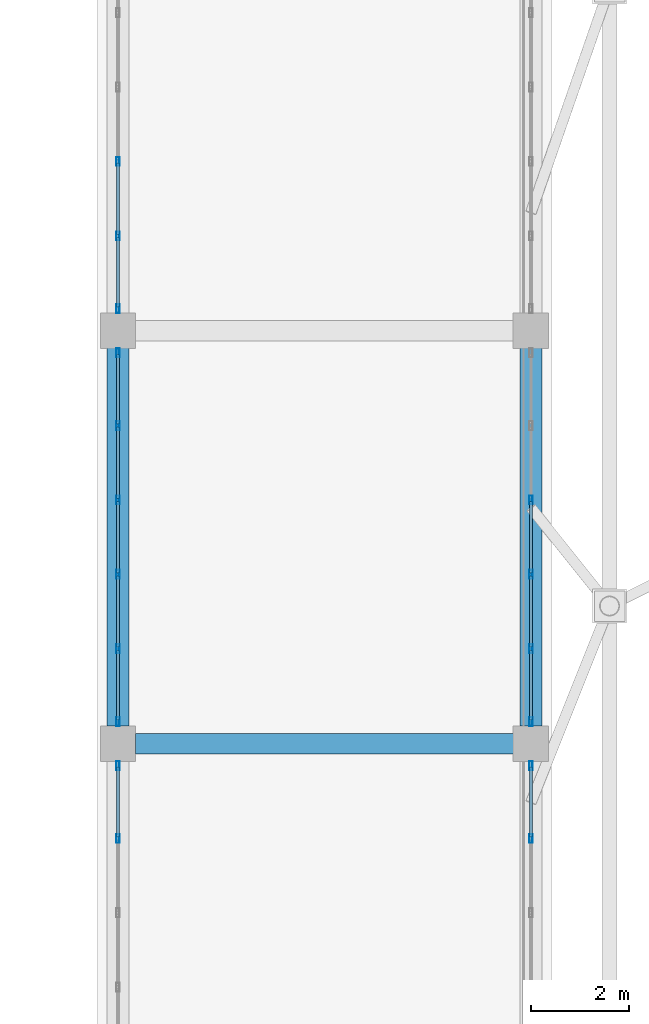
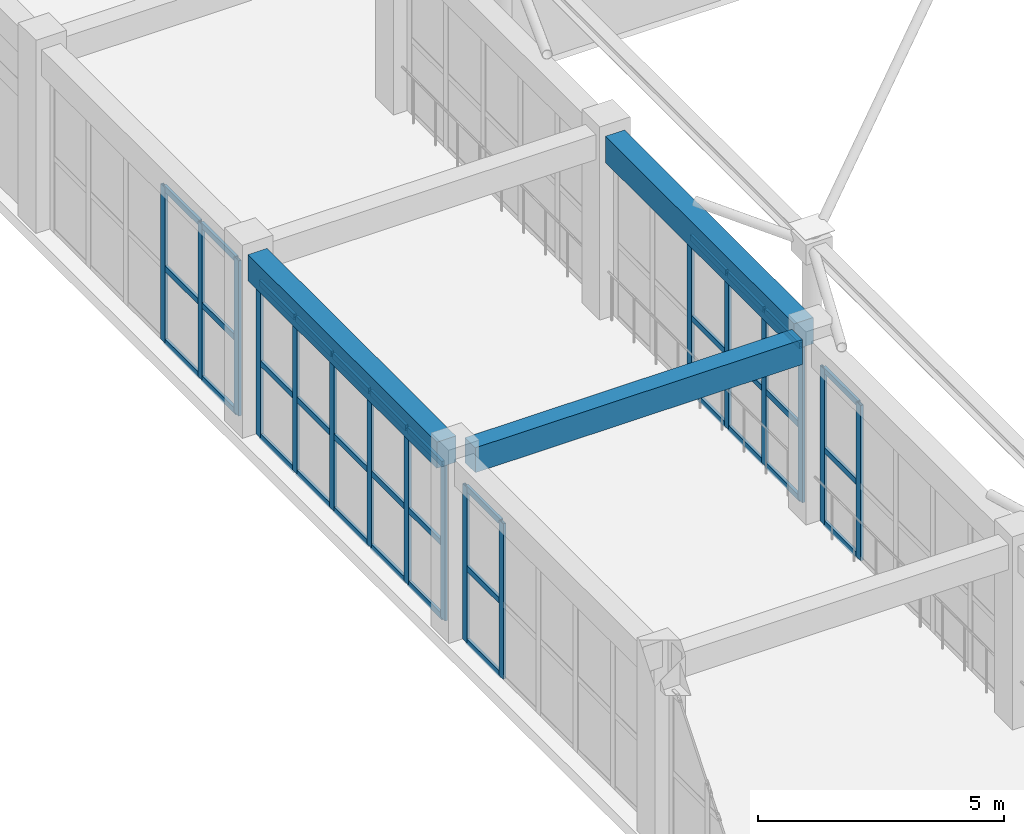
# One storey, part 96 of 158: 53 members, 3 beams, 5 elements without a shape of their own.
"""IFC4 building model written with IfcOpenShell, lengths in metres."""

from ifc_helpers import new_model, si_unit, direction, frame, origin, origin_2d, place, context, subcontext, project, spatial, rectangle, hollow_rectangle, extrude, material, layer, layer_set, material_profile, profile_set, type_object, element, aggregate, save


model = new_model("IFC4")

# Units and contexts
model_context = context("Model", 3, precision=1e-05, world=origin(), true_north=direction((0.0, 1.0)))
body_context = subcontext(model_context, "Body", "Model", "MODEL_VIEW")
ifc_project = project(units=[si_unit("LENGTHUNIT", "METRE"), si_unit("AREAUNIT", "SQUARE_METRE"), si_unit("VOLUMEUNIT", "CUBIC_METRE"), si_unit("PLANEANGLEUNIT", "RADIAN"), si_unit("MASSUNIT", "GRAM", prefix="KILO")], contexts=[model_context])

# Site, building, storey
site_placement = place(None, origin())
site = spatial("IfcSite", under=ifc_project, at=site_placement, CompositionType="ELEMENT")
building_placement = place(site_placement, origin())
building = spatial("IfcBuilding", under=site, at=building_placement, Name="Trelvath General Hospital", CompositionType="ELEMENT")
storey_placement = place(building_placement, frame((0.0, 0.0, 8.10009765625)))
storey = spatial("IfcBuildingStorey", under=building, at=storey_placement, Name="L02", CompositionType="ELEMENT", Elevation=8.10009765625)

# Beams
ifc_material_1 = material(Name="Concrete C35/45", Category="concrete")
ifc_material_profile_1 = material_profile(ifc_material_1, rectangle(XDim=0.419921875, YDim=0.6201171875, at=origin_2d()), Name="RCB420x620")
ifc_profile_set_1 = profile_set([ifc_material_profile_1], Name="Concrete C35/45")
beam_type_1 = type_object("IfcBeamType", Name="Beam RC420x620", PredefinedType="BEAM", material=ifc_profile_set_1)
beam_placement = place(storey_placement, frame((134.7548828125, 50.39990234375, 4.2099609375), z_axis=(1.0, 0.0, 0.0), x_axis=(0.0, 1.0, 0.0)))
element("IfcBeam", 1, at=beam_placement, inside=storey, type_object=beam_type_1, Name="Grid Beam BX-216G", PredefinedType="BEAM", context=body_context, shape_type="SweptSolid", body=[
    extrude(rectangle(XDim=0.419921875, YDim=0.6201171875, at=origin_2d()), origin(), (0.0, 0.0, 1.0), 7.690185546875),
])
ifc_material_2 = material(Name="Concrete C35/45", Category="concrete")
ifc_material_profile_2 = material_profile(ifc_material_2, rectangle(XDim=0.449951171875, YDim=0.64990234375, at=origin_2d()), Name="RCB450x650")
ifc_profile_set_2 = profile_set([ifc_material_profile_2], Name="Concrete C35/45")
beam_type_2 = type_object("IfcBeamType", Name="Beam RC450x650", PredefinedType="BEAM", material=ifc_profile_set_2)
for number, where, z_axis, x_axis, name in (
    (2, (134.39990234375, 50.7548828125, 4.19482421875), (0.0, 1.0, 0.0), (-1.0, 0.0, 0.0), "Grid Beam BY-216G"),
    (3, (142.800048828125, 50.7548828125, 4.19482421875), (0.0, 1.0, 0.0), (-1.0, 0.0, 0.0), "Grid Beam BY-217G"),
):
    element("IfcBeam", number, at=place(storey_placement, frame(where, z_axis=z_axis, x_axis=x_axis)), inside=storey, type_object=beam_type_2, Name=name, PredefinedType="BEAM", context=body_context, shape_type="SweptSolid", body=[
        extrude(rectangle(XDim=0.449951171875, YDim=0.64990234375, at=origin_2d()), origin(), (0.0, 0.0, 1.0), 7.690185546875),
    ])

# Curtain wall, members
ifc_material_3 = material(Name="Anodised aluminium and low-E glass", Category="aluminium")
ifc_layer = layer(ifc_material_3, 0.179931640625)
ifc_layer_set = layer_set([ifc_layer], Name="Anodised aluminium and low-E glass")
curtain_wall_type = type_object("IfcCurtainWallType", Name="CW Facade 757 386 18", PredefinedType="USERDEFINED", material=ifc_layer_set)
curtain_wall_1_placement = place(storey_placement, origin())
curtain_wall_1 = element("IfcCurtainWall", 4, at=curtain_wall_1_placement, inside=storey, type_object=curtain_wall_type, Name="Facade Curtain Wall CW-050", ObjectType="Unitised Glazed Curtain Wall", PredefinedType="USERDEFINED")
ifc_material_4 = material(Name="Anodised aluminium", Category="aluminium")
ifc_material_profile_3 = material_profile(ifc_material_4, hollow_rectangle(XDim=0.06494140625, YDim=0.179931640625, WallThickness=0.0048828125, at=origin_2d()), Name="RHS65x180x5")
ifc_profile_set_3 = profile_set([ifc_material_profile_3], Name="Anodised aluminium")
member_type_1 = type_object("IfcMemberType", Name="CurtainMullion 65x180", PredefinedType="MULLION", material=ifc_profile_set_3)
member_1_placement = place(storey_placement, frame((134.39990234375, 48.470947265625, 0.0), z_axis=(0.0, 0.0, 1.0), x_axis=(-1.0, 0.0, 0.0)))
member_1 = element("IfcMember", 5, at=member_1_placement, type_object=member_type_1, Name="CW-050 mullion 5", PredefinedType="MULLION", context=body_context, shape_type="SweptSolid", body=[
    extrude(hollow_rectangle(XDim=0.06494140625, YDim=0.179931640625, WallThickness=0.0048828125, at=origin_2d()), origin(), (0.0, 0.0, 1.0), 3.85986328125),
])
member_2_placement = place(storey_placement, frame((134.39990234375, 49.952392578125, 0.0), z_axis=(0.0, 0.0, 1.0), x_axis=(-1.0, 0.0, 0.0)))
member_2 = element("IfcMember", 6, at=member_2_placement, type_object=member_type_1, Name="CW-050 mullion 6", PredefinedType="MULLION", context=body_context, shape_type="SweptSolid", body=[
    extrude(hollow_rectangle(XDim=0.06494140625, YDim=0.179931640625, WallThickness=0.0048828125, at=origin_2d()), origin(), (0.0, 0.0, 1.0), 3.85986328125),
])

curtain_wall_2_placement = place(storey_placement, origin())
curtain_wall_2 = element("IfcCurtainWall", 7, at=curtain_wall_2_placement, inside=storey, type_object=curtain_wall_type, Name="Facade Curtain Wall CW-051", ObjectType="Unitised Glazed Curtain Wall", PredefinedType="USERDEFINED")
member_3_placement = place(storey_placement, frame((142.800048828125, 49.952392578125, 0.0), z_axis=(0.0, 0.0, 1.0), x_axis=(1.0, 0.0, 0.0)))
member_3 = element("IfcMember", 8, at=member_3_placement, type_object=member_type_1, Name="CW-051 mullion 1", PredefinedType="MULLION", context=body_context, shape_type="SweptSolid", body=[
    extrude(hollow_rectangle(XDim=0.06494140625, YDim=0.179931640625, WallThickness=0.0048828125, at=origin_2d()), origin(), (0.0, 0.0, 1.0), 3.85986328125),
])
member_4_placement = place(storey_placement, frame((142.800048828125, 48.470947265625, 0.0), z_axis=(0.0, 0.0, 1.0), x_axis=(1.0, 0.0, 0.0)))
member_4 = element("IfcMember", 9, at=member_4_placement, type_object=member_type_1, Name="CW-051 mullion 2", PredefinedType="MULLION", context=body_context, shape_type="SweptSolid", body=[
    extrude(hollow_rectangle(XDim=0.06494140625, YDim=0.179931640625, WallThickness=0.0048828125, at=origin_2d()), origin(), (0.0, 0.0, 1.0), 3.85986328125),
])

curtain_wall_3_placement = place(storey_placement, origin())
curtain_wall_3 = element("IfcCurtainWall", 10, at=curtain_wall_3_placement, inside=storey, type_object=curtain_wall_type, Name="Facade Curtain Wall CW-052", ObjectType="Unitised Glazed Curtain Wall", PredefinedType="USERDEFINED")
member_5_placement = place(storey_placement, frame((134.39990234375, 50.847412109375, 0.0), z_axis=(0.0, 0.0, 1.0), x_axis=(-1.0, 0.0, 0.0)))
member_5 = element("IfcMember", 11, at=member_5_placement, type_object=member_type_1, Name="CW-052 mullion 1", PredefinedType="MULLION", context=body_context, shape_type="SweptSolid", body=[
    extrude(hollow_rectangle(XDim=0.06494140625, YDim=0.179931640625, WallThickness=0.0048828125, at=origin_2d()), origin(), (0.0, 0.0, 1.0), 3.85986328125),
])
member_6_placement = place(storey_placement, frame((134.39990234375, 52.3291015625, 0.0), z_axis=(0.0, 0.0, 1.0), x_axis=(-1.0, 0.0, 0.0)))
member_6 = element("IfcMember", 12, at=member_6_placement, type_object=member_type_1, Name="CW-052 mullion 2", PredefinedType="MULLION", context=body_context, shape_type="SweptSolid", body=[
    extrude(hollow_rectangle(XDim=0.06494140625, YDim=0.179931640625, WallThickness=0.0048828125, at=origin_2d()), origin(), (0.0, 0.0, 1.0), 3.85986328125),
])
member_7_placement = place(storey_placement, frame((134.39990234375, 53.843017578125, 0.0), z_axis=(0.0, 0.0, 1.0), x_axis=(-1.0, 0.0, 0.0)))
member_7 = element("IfcMember", 13, at=member_7_placement, type_object=member_type_1, Name="CW-052 mullion 3", PredefinedType="MULLION", context=body_context, shape_type="SweptSolid", body=[
    extrude(hollow_rectangle(XDim=0.06494140625, YDim=0.179931640625, WallThickness=0.0048828125, at=origin_2d()), origin(), (0.0, 0.0, 1.0), 3.85986328125),
])
member_8_placement = place(storey_placement, frame((134.39990234375, 55.35693359375, 0.0), z_axis=(0.0, 0.0, 1.0), x_axis=(-1.0, 0.0, 0.0)))
member_8 = element("IfcMember", 14, at=member_8_placement, type_object=member_type_1, Name="CW-052 mullion 4", PredefinedType="MULLION", context=body_context, shape_type="SweptSolid", body=[
    extrude(hollow_rectangle(XDim=0.06494140625, YDim=0.179931640625, WallThickness=0.0048828125, at=origin_2d()), origin(), (0.0, 0.0, 1.0), 3.85986328125),
])
member_9_placement = place(storey_placement, frame((134.39990234375, 56.87109375, 0.0), z_axis=(0.0, 0.0, 1.0), x_axis=(-1.0, 0.0, 0.0)))
member_9 = element("IfcMember", 15, at=member_9_placement, type_object=member_type_1, Name="CW-052 mullion 5", PredefinedType="MULLION", context=body_context, shape_type="SweptSolid", body=[
    extrude(hollow_rectangle(XDim=0.06494140625, YDim=0.179931640625, WallThickness=0.0048828125, at=origin_2d()), origin(), (0.0, 0.0, 1.0), 3.85986328125),
])
member_10_placement = place(storey_placement, frame((134.39990234375, 58.3525390625, 0.0), z_axis=(0.0, 0.0, 1.0), x_axis=(-1.0, 0.0, 0.0)))
member_10 = element("IfcMember", 16, at=member_10_placement, type_object=member_type_1, Name="CW-052 mullion 6", PredefinedType="MULLION", context=body_context, shape_type="SweptSolid", body=[
    extrude(hollow_rectangle(XDim=0.06494140625, YDim=0.179931640625, WallThickness=0.0048828125, at=origin_2d()), origin(), (0.0, 0.0, 1.0), 3.85986328125),
])

curtain_wall_4_placement = place(storey_placement, origin())
curtain_wall_4 = element("IfcCurtainWall", 17, at=curtain_wall_4_placement, inside=storey, type_object=curtain_wall_type, Name="Facade Curtain Wall CW-053", ObjectType="Unitised Glazed Curtain Wall", PredefinedType="USERDEFINED")
member_11_placement = place(storey_placement, frame((142.800048828125, 55.35693359375, 0.0), z_axis=(0.0, 0.0, 1.0), x_axis=(1.0, 0.0, 0.0)))
member_11 = element("IfcMember", 18, at=member_11_placement, type_object=member_type_1, Name="CW-053 mullion 3", PredefinedType="MULLION", context=body_context, shape_type="SweptSolid", body=[
    extrude(hollow_rectangle(XDim=0.06494140625, YDim=0.179931640625, WallThickness=0.0048828125, at=origin_2d()), origin(), (0.0, 0.0, 1.0), 3.85986328125),
])
member_12_placement = place(storey_placement, frame((142.800048828125, 53.843017578125, 0.0), z_axis=(0.0, 0.0, 1.0), x_axis=(1.0, 0.0, 0.0)))
member_12 = element("IfcMember", 19, at=member_12_placement, type_object=member_type_1, Name="CW-053 mullion 4", PredefinedType="MULLION", context=body_context, shape_type="SweptSolid", body=[
    extrude(hollow_rectangle(XDim=0.06494140625, YDim=0.179931640625, WallThickness=0.0048828125, at=origin_2d()), origin(), (0.0, 0.0, 1.0), 3.85986328125),
])
member_13_placement = place(storey_placement, frame((142.800048828125, 52.3291015625, 0.0), z_axis=(0.0, 0.0, 1.0), x_axis=(1.0, 0.0, 0.0)))
member_13 = element("IfcMember", 20, at=member_13_placement, type_object=member_type_1, Name="CW-053 mullion 5", PredefinedType="MULLION", context=body_context, shape_type="SweptSolid", body=[
    extrude(hollow_rectangle(XDim=0.06494140625, YDim=0.179931640625, WallThickness=0.0048828125, at=origin_2d()), origin(), (0.0, 0.0, 1.0), 3.85986328125),
])
member_14_placement = place(storey_placement, frame((142.800048828125, 50.847412109375, 0.0), z_axis=(0.0, 0.0, 1.0), x_axis=(1.0, 0.0, 0.0)))
member_14 = element("IfcMember", 21, at=member_14_placement, type_object=member_type_1, Name="CW-053 mullion 6", PredefinedType="MULLION", context=body_context, shape_type="SweptSolid", body=[
    extrude(hollow_rectangle(XDim=0.06494140625, YDim=0.179931640625, WallThickness=0.0048828125, at=origin_2d()), origin(), (0.0, 0.0, 1.0), 3.85986328125),
])

curtain_wall_5_placement = place(storey_placement, origin())
curtain_wall_5 = element("IfcCurtainWall", 22, at=curtain_wall_5_placement, inside=storey, type_object=curtain_wall_type, Name="Facade Curtain Wall CW-054", ObjectType="Unitised Glazed Curtain Wall", PredefinedType="USERDEFINED")
member_15_placement = place(storey_placement, frame((134.39990234375, 59.24755859375, 0.0), z_axis=(0.0, 0.0, 1.0), x_axis=(-1.0, 0.0, 0.0)))
member_15 = element("IfcMember", 23, at=member_15_placement, type_object=member_type_1, Name="CW-054 mullion 1", PredefinedType="MULLION", context=body_context, shape_type="SweptSolid", body=[
    extrude(hollow_rectangle(XDim=0.06494140625, YDim=0.179931640625, WallThickness=0.0048828125, at=origin_2d()), origin(), (0.0, 0.0, 1.0), 3.85986328125),
])
member_16_placement = place(storey_placement, frame((134.39990234375, 60.72900390625, 0.0), z_axis=(0.0, 0.0, 1.0), x_axis=(-1.0, 0.0, 0.0)))
member_16 = element("IfcMember", 24, at=member_16_placement, type_object=member_type_1, Name="CW-054 mullion 2", PredefinedType="MULLION", context=body_context, shape_type="SweptSolid", body=[
    extrude(hollow_rectangle(XDim=0.06494140625, YDim=0.179931640625, WallThickness=0.0048828125, at=origin_2d()), origin(), (0.0, 0.0, 1.0), 3.85986328125),
])
member_17_placement = place(storey_placement, frame((134.39990234375, 62.242919921875, 0.0), z_axis=(0.0, 0.0, 1.0), x_axis=(-1.0, 0.0, 0.0)))
member_17 = element("IfcMember", 25, at=member_17_placement, type_object=member_type_1, Name="CW-054 mullion 3", PredefinedType="MULLION", context=body_context, shape_type="SweptSolid", body=[
    extrude(hollow_rectangle(XDim=0.06494140625, YDim=0.179931640625, WallThickness=0.0048828125, at=origin_2d()), origin(), (0.0, 0.0, 1.0), 3.85986328125),
])

# Member
ifc_material_5 = material(Name="Anodised aluminium", Category="aluminium")
ifc_material_profile_4 = material_profile(ifc_material_5, hollow_rectangle(XDim=0.06494140625, YDim=0.14501953125, WallThickness=0.00390625, at=origin_2d()), Name="RHS65x145x4")
ifc_profile_set_4 = profile_set([ifc_material_profile_4], Name="Anodised aluminium")
member_type_2 = type_object("IfcMemberType", Name="CurtainTransom 65x145", PredefinedType="USERDEFINED", material=ifc_profile_set_4)
member_18_placement = place(storey_placement, frame((134.39990234375, 48.50341796875, 0.032470703125), z_axis=(0.0, 1.0, 0.0), x_axis=(-1.0, 0.0, 0.0)))
member_18 = element("IfcMember", 26, at=member_18_placement, type_object=member_type_2, Name="CW-050 transom 5.1", ObjectType="TRANSOM", PredefinedType="USERDEFINED", context=body_context, shape_type="SweptSolid", body=[
    extrude(hollow_rectangle(XDim=0.06494140625, YDim=0.14501953125, WallThickness=0.00390625, at=origin_2d()), origin(), (0.0, 0.0, 1.0), 1.41650390625),
])

member_19_placement = place(storey_placement, frame((134.39990234375, 48.50341796875, 1.852783203125), z_axis=(0.0, 1.0, 0.0), x_axis=(-1.0, 0.0, 0.0)))
member_19 = element("IfcMember", 27, at=member_19_placement, type_object=member_type_2, Name="CW-050 transom 5.2", ObjectType="TRANSOM", PredefinedType="USERDEFINED", context=body_context, shape_type="SweptSolid", body=[
    extrude(hollow_rectangle(XDim=0.06494140625, YDim=0.14501953125, WallThickness=0.00390625, at=origin_2d()), origin(), (0.0, 0.0, 1.0), 1.41650390625),
])

member_20_placement = place(storey_placement, frame((134.39990234375, 48.50341796875, 3.827392578125), z_axis=(0.0, 1.0, 0.0), x_axis=(-1.0, 0.0, 0.0)))
member_20 = element("IfcMember", 28, at=member_20_placement, type_object=member_type_2, Name="CW-050 transom 5.3", ObjectType="TRANSOM", PredefinedType="USERDEFINED", context=body_context, shape_type="SweptSolid", body=[
    extrude(hollow_rectangle(XDim=0.06494140625, YDim=0.14501953125, WallThickness=0.00390625, at=origin_2d()), origin(), (0.0, 0.0, 1.0), 1.41650390625),
])

aggregate(curtain_wall_1, [member_1, member_2, member_18, member_19, member_20])

member_21_placement = place(storey_placement, frame((142.800048828125, 49.919921875, 0.032470703125), z_axis=(0.0, -1.0, 0.0), x_axis=(1.0, 0.0, 0.0)))
member_21 = element("IfcMember", 29, at=member_21_placement, type_object=member_type_2, Name="CW-051 transom 1.1", ObjectType="TRANSOM", PredefinedType="USERDEFINED", context=body_context, shape_type="SweptSolid", body=[
    extrude(hollow_rectangle(XDim=0.06494140625, YDim=0.14501953125, WallThickness=0.00390625, at=origin_2d()), origin(), (0.0, 0.0, 1.0), 1.41650390625),
])

member_22_placement = place(storey_placement, frame((142.800048828125, 49.919921875, 1.852783203125), z_axis=(0.0, -1.0, 0.0), x_axis=(1.0, 0.0, 0.0)))
member_22 = element("IfcMember", 30, at=member_22_placement, type_object=member_type_2, Name="CW-051 transom 1.2", ObjectType="TRANSOM", PredefinedType="USERDEFINED", context=body_context, shape_type="SweptSolid", body=[
    extrude(hollow_rectangle(XDim=0.06494140625, YDim=0.14501953125, WallThickness=0.00390625, at=origin_2d()), origin(), (0.0, 0.0, 1.0), 1.41650390625),
])

member_23_placement = place(storey_placement, frame((142.800048828125, 49.919921875, 3.827392578125), z_axis=(0.0, -1.0, 0.0), x_axis=(1.0, 0.0, 0.0)))
member_23 = element("IfcMember", 31, at=member_23_placement, type_object=member_type_2, Name="CW-051 transom 1.3", ObjectType="TRANSOM", PredefinedType="USERDEFINED", context=body_context, shape_type="SweptSolid", body=[
    extrude(hollow_rectangle(XDim=0.06494140625, YDim=0.14501953125, WallThickness=0.00390625, at=origin_2d()), origin(), (0.0, 0.0, 1.0), 1.41650390625),
])

aggregate(curtain_wall_2, [member_3, member_4, member_21, member_22, member_23])

member_24_placement = place(storey_placement, frame((134.39990234375, 50.8798828125, 0.032470703125), z_axis=(0.0, 1.0, 0.0), x_axis=(-1.0, 0.0, 0.0)))
member_24 = element("IfcMember", 32, at=member_24_placement, type_object=member_type_2, Name="CW-052 transom 1.1", ObjectType="TRANSOM", PredefinedType="USERDEFINED", context=body_context, shape_type="SweptSolid", body=[
    extrude(hollow_rectangle(XDim=0.06494140625, YDim=0.14501953125, WallThickness=0.00390625, at=origin_2d()), origin(), (0.0, 0.0, 1.0), 1.41650390625),
])

member_25_placement = place(storey_placement, frame((134.39990234375, 50.8798828125, 1.852783203125), z_axis=(0.0, 1.0, 0.0), x_axis=(-1.0, 0.0, 0.0)))
member_25 = element("IfcMember", 33, at=member_25_placement, type_object=member_type_2, Name="CW-052 transom 1.2", ObjectType="TRANSOM", PredefinedType="USERDEFINED", context=body_context, shape_type="SweptSolid", body=[
    extrude(hollow_rectangle(XDim=0.06494140625, YDim=0.14501953125, WallThickness=0.00390625, at=origin_2d()), origin(), (0.0, 0.0, 1.0), 1.41650390625),
])

member_26_placement = place(storey_placement, frame((134.39990234375, 50.8798828125, 3.827392578125), z_axis=(0.0, 1.0, 0.0), x_axis=(-1.0, 0.0, 0.0)))
member_26 = element("IfcMember", 34, at=member_26_placement, type_object=member_type_2, Name="CW-052 transom 1.3", ObjectType="TRANSOM", PredefinedType="USERDEFINED", context=body_context, shape_type="SweptSolid", body=[
    extrude(hollow_rectangle(XDim=0.06494140625, YDim=0.14501953125, WallThickness=0.00390625, at=origin_2d()), origin(), (0.0, 0.0, 1.0), 1.41650390625),
])

member_27_placement = place(storey_placement, frame((134.39990234375, 52.361572265625, 0.032470703125), z_axis=(0.0, 1.0, 0.0), x_axis=(-1.0, 0.0, 0.0)))
member_27 = element("IfcMember", 35, at=member_27_placement, type_object=member_type_2, Name="CW-052 transom 2.1", ObjectType="TRANSOM", PredefinedType="USERDEFINED", context=body_context, shape_type="SweptSolid", body=[
    extrude(hollow_rectangle(XDim=0.06494140625, YDim=0.14501953125, WallThickness=0.00390625, at=origin_2d()), origin(), (0.0, 0.0, 1.0), 1.448974609375),
])

member_28_placement = place(storey_placement, frame((134.39990234375, 52.361572265625, 1.852783203125), z_axis=(0.0, 1.0, 0.0), x_axis=(-1.0, 0.0, 0.0)))
member_28 = element("IfcMember", 36, at=member_28_placement, type_object=member_type_2, Name="CW-052 transom 2.2", ObjectType="TRANSOM", PredefinedType="USERDEFINED", context=body_context, shape_type="SweptSolid", body=[
    extrude(hollow_rectangle(XDim=0.06494140625, YDim=0.14501953125, WallThickness=0.00390625, at=origin_2d()), origin(), (0.0, 0.0, 1.0), 1.448974609375),
])

member_29_placement = place(storey_placement, frame((134.39990234375, 52.361572265625, 3.827392578125), z_axis=(0.0, 1.0, 0.0), x_axis=(-1.0, 0.0, 0.0)))
member_29 = element("IfcMember", 37, at=member_29_placement, type_object=member_type_2, Name="CW-052 transom 2.3", ObjectType="TRANSOM", PredefinedType="USERDEFINED", context=body_context, shape_type="SweptSolid", body=[
    extrude(hollow_rectangle(XDim=0.06494140625, YDim=0.14501953125, WallThickness=0.00390625, at=origin_2d()), origin(), (0.0, 0.0, 1.0), 1.448974609375),
])

member_30_placement = place(storey_placement, frame((134.39990234375, 53.87548828125, 0.032470703125), z_axis=(0.0, 1.0, 0.0), x_axis=(-1.0, 0.0, 0.0)))
member_30 = element("IfcMember", 38, at=member_30_placement, type_object=member_type_2, Name="CW-052 transom 3.1", ObjectType="TRANSOM", PredefinedType="USERDEFINED", context=body_context, shape_type="SweptSolid", body=[
    extrude(hollow_rectangle(XDim=0.06494140625, YDim=0.14501953125, WallThickness=0.00390625, at=origin_2d()), origin(), (0.0, 0.0, 1.0), 1.448974609375),
])

member_31_placement = place(storey_placement, frame((134.39990234375, 53.87548828125, 1.852783203125), z_axis=(0.0, 1.0, 0.0), x_axis=(-1.0, 0.0, 0.0)))
member_31 = element("IfcMember", 39, at=member_31_placement, type_object=member_type_2, Name="CW-052 transom 3.2", ObjectType="TRANSOM", PredefinedType="USERDEFINED", context=body_context, shape_type="SweptSolid", body=[
    extrude(hollow_rectangle(XDim=0.06494140625, YDim=0.14501953125, WallThickness=0.00390625, at=origin_2d()), origin(), (0.0, 0.0, 1.0), 1.448974609375),
])

member_32_placement = place(storey_placement, frame((134.39990234375, 53.87548828125, 3.827392578125), z_axis=(0.0, 1.0, 0.0), x_axis=(-1.0, 0.0, 0.0)))
member_32 = element("IfcMember", 40, at=member_32_placement, type_object=member_type_2, Name="CW-052 transom 3.3", ObjectType="TRANSOM", PredefinedType="USERDEFINED", context=body_context, shape_type="SweptSolid", body=[
    extrude(hollow_rectangle(XDim=0.06494140625, YDim=0.14501953125, WallThickness=0.00390625, at=origin_2d()), origin(), (0.0, 0.0, 1.0), 1.448974609375),
])

member_33_placement = place(storey_placement, frame((134.39990234375, 55.389404296875, 0.032470703125), z_axis=(0.0, 1.0, 0.0), x_axis=(-1.0, 0.0, 0.0)))
member_33 = element("IfcMember", 41, at=member_33_placement, type_object=member_type_2, Name="CW-052 transom 4.1", ObjectType="TRANSOM", PredefinedType="USERDEFINED", context=body_context, shape_type="SweptSolid", body=[
    extrude(hollow_rectangle(XDim=0.06494140625, YDim=0.14501953125, WallThickness=0.00390625, at=origin_2d()), origin(), (0.0, 0.0, 1.0), 1.448974609375),
])

member_34_placement = place(storey_placement, frame((134.39990234375, 55.389404296875, 1.852783203125), z_axis=(0.0, 1.0, 0.0), x_axis=(-1.0, 0.0, 0.0)))
member_34 = element("IfcMember", 42, at=member_34_placement, type_object=member_type_2, Name="CW-052 transom 4.2", ObjectType="TRANSOM", PredefinedType="USERDEFINED", context=body_context, shape_type="SweptSolid", body=[
    extrude(hollow_rectangle(XDim=0.06494140625, YDim=0.14501953125, WallThickness=0.00390625, at=origin_2d()), origin(), (0.0, 0.0, 1.0), 1.448974609375),
])

member_35_placement = place(storey_placement, frame((134.39990234375, 55.389404296875, 3.827392578125), z_axis=(0.0, 1.0, 0.0), x_axis=(-1.0, 0.0, 0.0)))
member_35 = element("IfcMember", 43, at=member_35_placement, type_object=member_type_2, Name="CW-052 transom 4.3", ObjectType="TRANSOM", PredefinedType="USERDEFINED", context=body_context, shape_type="SweptSolid", body=[
    extrude(hollow_rectangle(XDim=0.06494140625, YDim=0.14501953125, WallThickness=0.00390625, at=origin_2d()), origin(), (0.0, 0.0, 1.0), 1.448974609375),
])

member_36_placement = place(storey_placement, frame((134.39990234375, 56.903564453125, 0.032470703125), z_axis=(0.0, 1.0, 0.0), x_axis=(-1.0, 0.0, 0.0)))
member_36 = element("IfcMember", 44, at=member_36_placement, type_object=member_type_2, Name="CW-052 transom 5.1", ObjectType="TRANSOM", PredefinedType="USERDEFINED", context=body_context, shape_type="SweptSolid", body=[
    extrude(hollow_rectangle(XDim=0.06494140625, YDim=0.14501953125, WallThickness=0.00390625, at=origin_2d()), origin(), (0.0, 0.0, 1.0), 1.41650390625),
])

member_37_placement = place(storey_placement, frame((134.39990234375, 56.903564453125, 1.852783203125), z_axis=(0.0, 1.0, 0.0), x_axis=(-1.0, 0.0, 0.0)))
member_37 = element("IfcMember", 45, at=member_37_placement, type_object=member_type_2, Name="CW-052 transom 5.2", ObjectType="TRANSOM", PredefinedType="USERDEFINED", context=body_context, shape_type="SweptSolid", body=[
    extrude(hollow_rectangle(XDim=0.06494140625, YDim=0.14501953125, WallThickness=0.00390625, at=origin_2d()), origin(), (0.0, 0.0, 1.0), 1.41650390625),
])

member_38_placement = place(storey_placement, frame((134.39990234375, 56.903564453125, 3.827392578125), z_axis=(0.0, 1.0, 0.0), x_axis=(-1.0, 0.0, 0.0)))
member_38 = element("IfcMember", 46, at=member_38_placement, type_object=member_type_2, Name="CW-052 transom 5.3", ObjectType="TRANSOM", PredefinedType="USERDEFINED", context=body_context, shape_type="SweptSolid", body=[
    extrude(hollow_rectangle(XDim=0.06494140625, YDim=0.14501953125, WallThickness=0.00390625, at=origin_2d()), origin(), (0.0, 0.0, 1.0), 1.41650390625),
])

aggregate(curtain_wall_3, [member_5, member_6, member_7, member_8, member_9, member_10, member_24, member_25, member_26, member_27, member_28, member_29, member_30, member_31, member_32, member_33, member_34, member_35, member_36, member_37, member_38])

member_39_placement = place(storey_placement, frame((142.800048828125, 55.324462890625, 0.032470703125), z_axis=(0.0, -1.0, 0.0), x_axis=(1.0, 0.0, 0.0)))
member_39 = element("IfcMember", 47, at=member_39_placement, type_object=member_type_2, Name="CW-053 transom 3.1", ObjectType="TRANSOM", PredefinedType="USERDEFINED", context=body_context, shape_type="SweptSolid", body=[
    extrude(hollow_rectangle(XDim=0.06494140625, YDim=0.14501953125, WallThickness=0.00390625, at=origin_2d()), origin(), (0.0, 0.0, 1.0), 1.448974609375),
])

member_40_placement = place(storey_placement, frame((142.800048828125, 55.324462890625, 1.852783203125), z_axis=(0.0, -1.0, 0.0), x_axis=(1.0, 0.0, 0.0)))
member_40 = element("IfcMember", 48, at=member_40_placement, type_object=member_type_2, Name="CW-053 transom 3.2", ObjectType="TRANSOM", PredefinedType="USERDEFINED", context=body_context, shape_type="SweptSolid", body=[
    extrude(hollow_rectangle(XDim=0.06494140625, YDim=0.14501953125, WallThickness=0.00390625, at=origin_2d()), origin(), (0.0, 0.0, 1.0), 1.448974609375),
])

member_41_placement = place(storey_placement, frame((142.800048828125, 55.324462890625, 3.827392578125), z_axis=(0.0, -1.0, 0.0), x_axis=(1.0, 0.0, 0.0)))
member_41 = element("IfcMember", 49, at=member_41_placement, type_object=member_type_2, Name="CW-053 transom 3.3", ObjectType="TRANSOM", PredefinedType="USERDEFINED", context=body_context, shape_type="SweptSolid", body=[
    extrude(hollow_rectangle(XDim=0.06494140625, YDim=0.14501953125, WallThickness=0.00390625, at=origin_2d()), origin(), (0.0, 0.0, 1.0), 1.448974609375),
])

member_42_placement = place(storey_placement, frame((142.800048828125, 53.810546875, 0.032470703125), z_axis=(0.0, -1.0, 0.0), x_axis=(1.0, 0.0, 0.0)))
member_42 = element("IfcMember", 50, at=member_42_placement, type_object=member_type_2, Name="CW-053 transom 4.1", ObjectType="TRANSOM", PredefinedType="USERDEFINED", context=body_context, shape_type="SweptSolid", body=[
    extrude(hollow_rectangle(XDim=0.06494140625, YDim=0.14501953125, WallThickness=0.00390625, at=origin_2d()), origin(), (0.0, 0.0, 1.0), 1.448974609375),
])

member_43_placement = place(storey_placement, frame((142.800048828125, 53.810546875, 1.852783203125), z_axis=(0.0, -1.0, 0.0), x_axis=(1.0, 0.0, 0.0)))
member_43 = element("IfcMember", 51, at=member_43_placement, type_object=member_type_2, Name="CW-053 transom 4.2", ObjectType="TRANSOM", PredefinedType="USERDEFINED", context=body_context, shape_type="SweptSolid", body=[
    extrude(hollow_rectangle(XDim=0.06494140625, YDim=0.14501953125, WallThickness=0.00390625, at=origin_2d()), origin(), (0.0, 0.0, 1.0), 1.448974609375),
])

member_44_placement = place(storey_placement, frame((142.800048828125, 53.810546875, 3.827392578125), z_axis=(0.0, -1.0, 0.0), x_axis=(1.0, 0.0, 0.0)))
member_44 = element("IfcMember", 52, at=member_44_placement, type_object=member_type_2, Name="CW-053 transom 4.3", ObjectType="TRANSOM", PredefinedType="USERDEFINED", context=body_context, shape_type="SweptSolid", body=[
    extrude(hollow_rectangle(XDim=0.06494140625, YDim=0.14501953125, WallThickness=0.00390625, at=origin_2d()), origin(), (0.0, 0.0, 1.0), 1.448974609375),
])

member_45_placement = place(storey_placement, frame((142.800048828125, 52.29638671875, 0.032470703125), z_axis=(0.0, -1.0, 0.0), x_axis=(1.0, 0.0, 0.0)))
member_45 = element("IfcMember", 53, at=member_45_placement, type_object=member_type_2, Name="CW-053 transom 5.1", ObjectType="TRANSOM", PredefinedType="USERDEFINED", context=body_context, shape_type="SweptSolid", body=[
    extrude(hollow_rectangle(XDim=0.06494140625, YDim=0.14501953125, WallThickness=0.00390625, at=origin_2d()), origin(), (0.0, 0.0, 1.0), 1.41650390625),
])

member_46_placement = place(storey_placement, frame((142.800048828125, 52.29638671875, 1.852783203125), z_axis=(0.0, -1.0, 0.0), x_axis=(1.0, 0.0, 0.0)))
member_46 = element("IfcMember", 54, at=member_46_placement, type_object=member_type_2, Name="CW-053 transom 5.2", ObjectType="TRANSOM", PredefinedType="USERDEFINED", context=body_context, shape_type="SweptSolid", body=[
    extrude(hollow_rectangle(XDim=0.06494140625, YDim=0.14501953125, WallThickness=0.00390625, at=origin_2d()), origin(), (0.0, 0.0, 1.0), 1.41650390625),
])

member_47_placement = place(storey_placement, frame((142.800048828125, 52.29638671875, 3.827392578125), z_axis=(0.0, -1.0, 0.0), x_axis=(1.0, 0.0, 0.0)))
member_47 = element("IfcMember", 55, at=member_47_placement, type_object=member_type_2, Name="CW-053 transom 5.3", ObjectType="TRANSOM", PredefinedType="USERDEFINED", context=body_context, shape_type="SweptSolid", body=[
    extrude(hollow_rectangle(XDim=0.06494140625, YDim=0.14501953125, WallThickness=0.00390625, at=origin_2d()), origin(), (0.0, 0.0, 1.0), 1.41650390625),
])

aggregate(curtain_wall_4, [member_11, member_12, member_13, member_14, member_39, member_40, member_41, member_42, member_43, member_44, member_45, member_46, member_47])

member_48_placement = place(storey_placement, frame((134.39990234375, 59.280029296875, 0.032470703125), z_axis=(0.0, 1.0, 0.0), x_axis=(-1.0, 0.0, 0.0)))
member_48 = element("IfcMember", 56, at=member_48_placement, type_object=member_type_2, Name="CW-054 transom 1.1", ObjectType="TRANSOM", PredefinedType="USERDEFINED", context=body_context, shape_type="SweptSolid", body=[
    extrude(hollow_rectangle(XDim=0.06494140625, YDim=0.14501953125, WallThickness=0.00390625, at=origin_2d()), origin(), (0.0, 0.0, 1.0), 1.41650390625),
])

member_49_placement = place(storey_placement, frame((134.39990234375, 59.280029296875, 1.852783203125), z_axis=(0.0, 1.0, 0.0), x_axis=(-1.0, 0.0, 0.0)))
member_49 = element("IfcMember", 57, at=member_49_placement, type_object=member_type_2, Name="CW-054 transom 1.2", ObjectType="TRANSOM", PredefinedType="USERDEFINED", context=body_context, shape_type="SweptSolid", body=[
    extrude(hollow_rectangle(XDim=0.06494140625, YDim=0.14501953125, WallThickness=0.00390625, at=origin_2d()), origin(), (0.0, 0.0, 1.0), 1.41650390625),
])

member_50_placement = place(storey_placement, frame((134.39990234375, 59.280029296875, 3.827392578125), z_axis=(0.0, 1.0, 0.0), x_axis=(-1.0, 0.0, 0.0)))
member_50 = element("IfcMember", 58, at=member_50_placement, type_object=member_type_2, Name="CW-054 transom 1.3", ObjectType="TRANSOM", PredefinedType="USERDEFINED", context=body_context, shape_type="SweptSolid", body=[
    extrude(hollow_rectangle(XDim=0.06494140625, YDim=0.14501953125, WallThickness=0.00390625, at=origin_2d()), origin(), (0.0, 0.0, 1.0), 1.41650390625),
])

member_51_placement = place(storey_placement, frame((134.39990234375, 60.761474609375, 0.032470703125), z_axis=(0.0, 1.0, 0.0), x_axis=(-1.0, 0.0, 0.0)))
member_51 = element("IfcMember", 59, at=member_51_placement, type_object=member_type_2, Name="CW-054 transom 2.1", ObjectType="TRANSOM", PredefinedType="USERDEFINED", context=body_context, shape_type="SweptSolid", body=[
    extrude(hollow_rectangle(XDim=0.06494140625, YDim=0.14501953125, WallThickness=0.00390625, at=origin_2d()), origin(), (0.0, 0.0, 1.0), 1.448974609375),
])

member_52_placement = place(storey_placement, frame((134.39990234375, 60.761474609375, 1.852783203125), z_axis=(0.0, 1.0, 0.0), x_axis=(-1.0, 0.0, 0.0)))
member_52 = element("IfcMember", 60, at=member_52_placement, type_object=member_type_2, Name="CW-054 transom 2.2", ObjectType="TRANSOM", PredefinedType="USERDEFINED", context=body_context, shape_type="SweptSolid", body=[
    extrude(hollow_rectangle(XDim=0.06494140625, YDim=0.14501953125, WallThickness=0.00390625, at=origin_2d()), origin(), (0.0, 0.0, 1.0), 1.448974609375),
])

member_53_placement = place(storey_placement, frame((134.39990234375, 60.761474609375, 3.827392578125), z_axis=(0.0, 1.0, 0.0), x_axis=(-1.0, 0.0, 0.0)))
member_53 = element("IfcMember", 61, at=member_53_placement, type_object=member_type_2, Name="CW-054 transom 2.3", ObjectType="TRANSOM", PredefinedType="USERDEFINED", context=body_context, shape_type="SweptSolid", body=[
    extrude(hollow_rectangle(XDim=0.06494140625, YDim=0.14501953125, WallThickness=0.00390625, at=origin_2d()), origin(), (0.0, 0.0, 1.0), 1.448974609375),
])

aggregate(curtain_wall_5, [member_15, member_16, member_17, member_48, member_49, member_50, member_51, member_52, member_53])

save(model, "model.ifc")
